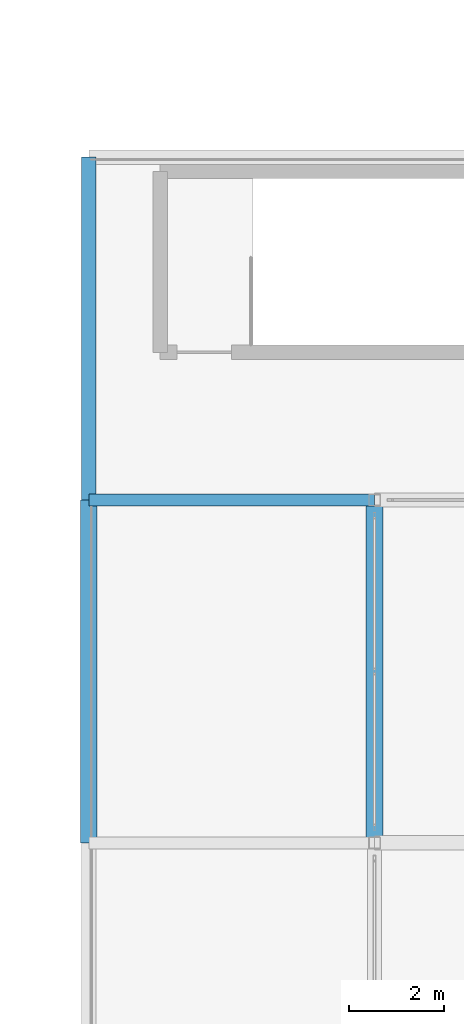
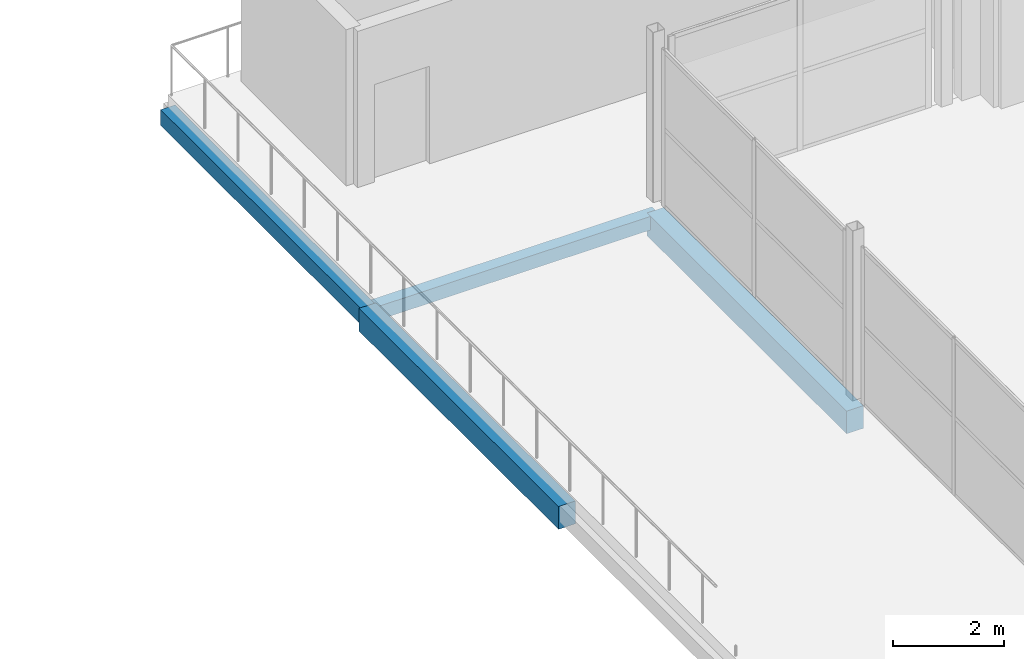
# One storey, part 44 of 239: 4 beams.
"""IFC4 building model written with IfcOpenShell, lengths in metres."""

from ifc_helpers import new_model, si_unit, direction, frame, origin, origin_2d, place, context, subcontext, project, spatial, rectangle, extrude, material, material_profile, profile_set, type_object, element, save


model = new_model("IFC4")

# Units and contexts
model_context = context("Model", 3, precision=1e-05, world=origin(), true_north=direction((0.0, 1.0)))
body_context = subcontext(model_context, "Body", "Model", "MODEL_VIEW")
ifc_project = project(units=[si_unit("LENGTHUNIT", "METRE"), si_unit("AREAUNIT", "SQUARE_METRE"), si_unit("VOLUMEUNIT", "CUBIC_METRE"), si_unit("PLANEANGLEUNIT", "RADIAN"), si_unit("MASSUNIT", "GRAM", prefix="KILO")], contexts=[model_context])

# Site, building, storey
site_placement = place(None, origin())
site = spatial("IfcSite", under=ifc_project, at=site_placement, CompositionType="ELEMENT")
building_placement = place(site_placement, origin())
building = spatial("IfcBuilding", under=site, at=building_placement, Name="Dunvalen Ferry Terminal", CompositionType="ELEMENT")
storey_placement = place(building_placement, frame((0.0, 0.0, 9.840087890625)))
storey = spatial("IfcBuildingStorey", under=building, at=storey_placement, Name="L02", CompositionType="ELEMENT", Elevation=9.840087890625)

# Beams
ifc_material_1 = material(Name="Concrete C35/45", Category="concrete")
ifc_material_profile_1 = material_profile(ifc_material_1, rectangle(XDim=0.35009765625, YDim=0.5, at=origin_2d()), Name="Concrete C35/45")
ifc_profile_set_1 = profile_set([ifc_material_profile_1], Name="Concrete C35/45")
beam_type_1 = type_object("IfcBeamType", Name="STR-BM-RCB500W", PredefinedType="JOIST", material=ifc_profile_set_1)
for number, where, z_axis, x_axis, name in (
    (1, (108.0, 28.800048828125, -0.530029296875), (0.0, 1.0, 0.0), (-1.0, 0.0, 0.0), "L02 V4 Primary Girder Y-067"),
    (2, (114.0, 28.800048828125, -0.530029296875), (0.0, 1.0, 0.0), (-1.0, 0.0, 0.0), "L02 V4 Primary Girder Y-073"),
):
    element("IfcBeam", number, at=place(storey_placement, frame(where, z_axis=z_axis, x_axis=x_axis)), inside=storey, type_object=beam_type_1, Name=name, PredefinedType="JOIST", context=body_context, shape_type="SweptSolid", body=[
        extrude(rectangle(XDim=0.35009765625, YDim=0.5, at=origin_2d()), origin(), (0.0, 0.0, 1.0), 7.199951171875),
    ])
ifc_material_profile_2 = material_profile(ifc_material_1, rectangle(XDim=0.25, YDim=0.300048828125, at=origin_2d()), Name="Concrete C35/45")
ifc_profile_set_2 = profile_set([ifc_material_profile_2], Name="Concrete C35/45")
beam_type_2 = type_object("IfcBeamType", Name="STR-BM-RCL300", PredefinedType="LINTEL", material=ifc_profile_set_2)
beam_1_placement = place(storey_placement, frame((108.0, 36.0, -0.43017578125), z_axis=(1.0, 0.0, 0.0), x_axis=(0.0, 1.0, 0.0)))
element("IfcBeam", 3, at=beam_1_placement, inside=storey, type_object=beam_type_2, Name="L02 V4 Primary Beam X-047", PredefinedType="LINTEL", context=body_context, shape_type="SweptSolid", body=[
    extrude(rectangle(XDim=0.25, YDim=0.300048828125, at=origin_2d()), origin(), (0.0, 0.0, 1.0), 6.0),
])
ifc_material_2 = material(Name="Concrete C40/50", Category="concrete")
ifc_material_profile_3 = material_profile(ifc_material_2, rectangle(XDim=0.300048828125, YDim=0.35009765625, at=origin_2d()), Name="Concrete C40/50")
ifc_profile_set_3 = profile_set([ifc_material_profile_3], Name="Concrete C40/50")
beam_type_3 = type_object("IfcBeamType", Name="STR-BM-RCL350", PredefinedType="LINTEL", material=ifc_profile_set_3)
beam_2_placement = place(storey_placement, frame((108.0, 36.0, -0.455078125), z_axis=(0.0, 1.0, 0.0), x_axis=(-1.0, 0.0, 0.0)))
element("IfcBeam", 4, at=beam_2_placement, inside=storey, type_object=beam_type_3, Name="L02 V4 Primary Girder Y-068", PredefinedType="LINTEL", context=body_context, shape_type="SweptSolid", body=[
    extrude(rectangle(XDim=0.300048828125, YDim=0.35009765625, at=origin_2d()), origin(), (0.0, 0.0, 1.0), 7.199951171875),
])

save(model, "model.ifc")
